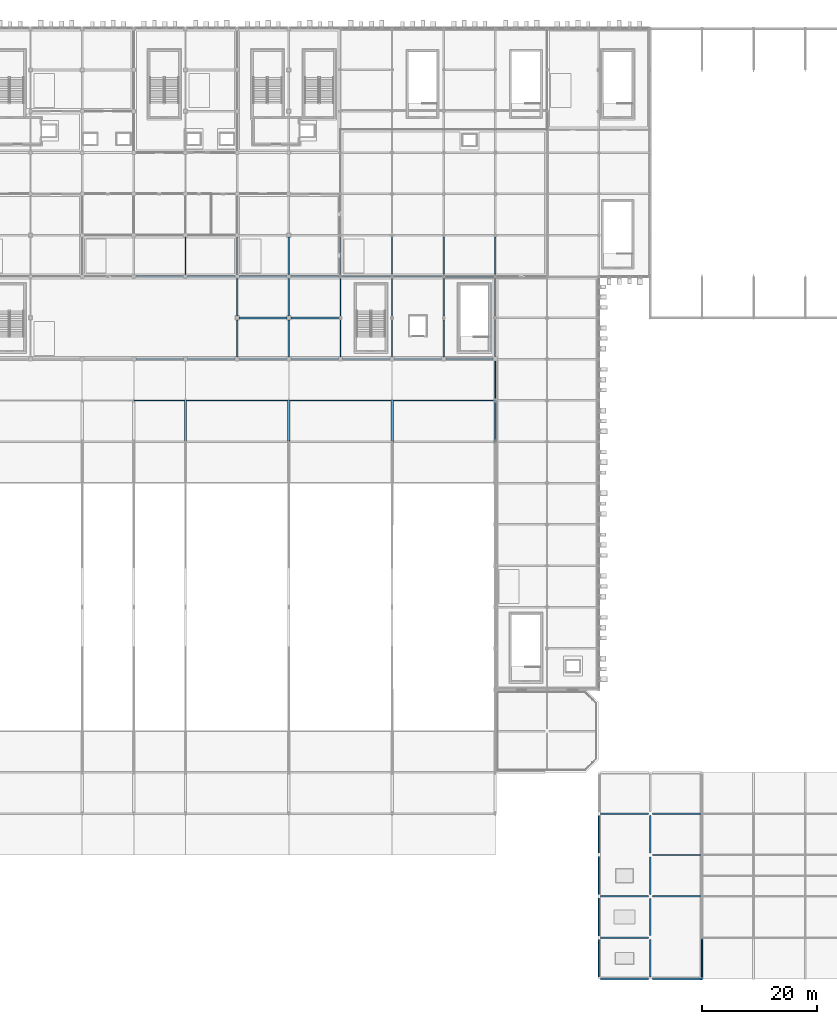
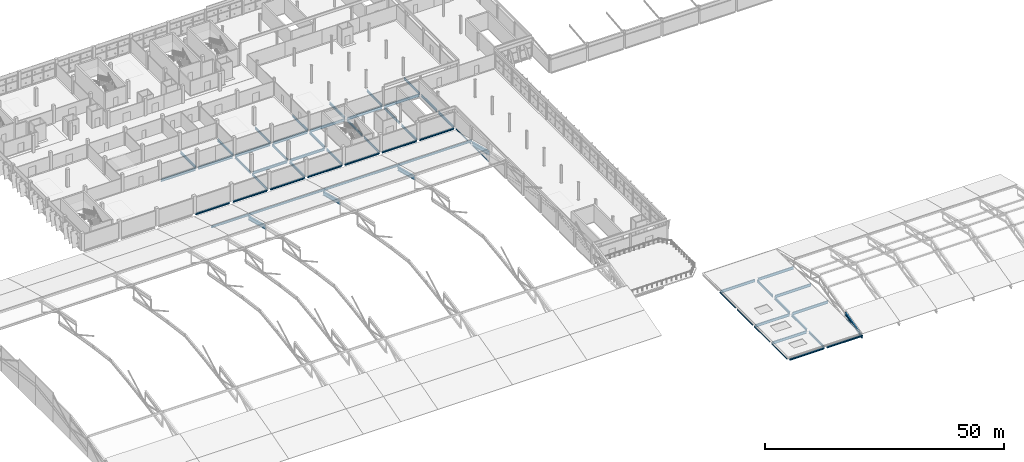
# One storey, part 37 of 124: 54 beams, 9 members.
"""IFC4 building model written with IfcOpenShell, lengths in metres."""

from ifc_helpers import new_model, si_unit, direction, frame, origin, origin_2d, place, context, subcontext, project, spatial, hollow_rectangle, i_section, extrude, material, material_profile, profile_set, type_object, element, save


model = new_model("IFC4")

# Units and contexts
model_context = context("Model", 3, precision=1e-05, world=origin(), true_north=direction((0.0, 1.0)))
body_context = subcontext(model_context, "Body", "Model", "MODEL_VIEW")
ifc_project = project(units=[si_unit("LENGTHUNIT", "METRE"), si_unit("AREAUNIT", "SQUARE_METRE"), si_unit("VOLUMEUNIT", "CUBIC_METRE"), si_unit("PLANEANGLEUNIT", "RADIAN"), si_unit("MASSUNIT", "GRAM", prefix="KILO")], contexts=[model_context])

# Site, building, storey
site_placement = place(None, origin())
site = spatial("IfcSite", under=ifc_project, at=site_placement, CompositionType="ELEMENT")
building_placement = place(site_placement, origin())
building = spatial("IfcBuilding", under=site, at=building_placement, Name="Celestram Park Convention Centre", CompositionType="ELEMENT")
storey_placement = place(building_placement, frame((0.0, 0.0, 15.300048828125)))
storey = spatial("IfcBuildingStorey", under=building, at=storey_placement, Name="L03", CompositionType="ELEMENT", Elevation=15.300048828125)

# Beams
ifc_material_1 = material(Name="Steel ASTM A992 Grade 50", Category="steel")
ifc_material_profile_1 = material_profile(ifc_material_1, i_section(OverallWidth=0.327880859375, OverallDepth=0.6220703125, WebThickness=0.015380859375, FlangeThickness=0.0244140625, at=origin_2d()), Name="W24X131")
ifc_profile_set_1 = profile_set([ifc_material_profile_1], Name="Steel ASTM A992 Grade 50")
beam_type_1 = type_object("IfcBeamType", Name="STR-BM-W24X131", PredefinedType="BEAM", material=ifc_profile_set_1)
for number, where, z_axis, x_axis, name in (
    (1, (63.347900390625, 122.39990234375, -0.56103515625), (1.0, 0.0, 0.0), (0.0, 1.0, 0.0), "Primary X-girder BG-L03-0046"),
    (2, (72.347900390625, 122.39990234375, -0.56103515625), (1.0, 0.0, 0.0), (0.0, 1.0, 0.0), "Primary X-girder BG-L03-0058"),
    (3, (81.347900390625, 115.199951171875, -0.56103515625), (1.0, 0.0, 0.0), (0.0, 1.0, 0.0), "Primary X-girder BG-L03-0073"),
    (4, (81.347900390625, 122.39990234375, -0.56103515625), (1.0, 0.0, 0.0), (0.0, 1.0, 0.0), "Primary X-girder BG-L03-0075"),
    (5, (90.347900390625, 115.199951171875, -0.56103515625), (1.0, 0.0, 0.0), (0.0, 1.0, 0.0), "Primary X-girder BG-L03-0088"),
    (6, (90.347900390625, 122.39990234375, -0.56103515625), (1.0, 0.0, 0.0), (0.0, 1.0, 0.0), "Primary X-girder BG-L03-0090"),
):
    element("IfcBeam", number, at=place(storey_placement, frame(where, z_axis=z_axis, x_axis=x_axis)), inside=storey, type_object=beam_type_1, Name=name, PredefinedType="BEAM", context=body_context, shape_type="SweptSolid", body=[
        extrude(i_section(OverallWidth=0.327880859375, OverallDepth=0.6220703125, WebThickness=0.015380859375, FlangeThickness=0.0244140625, at=origin_2d()), origin(), (0.0, 0.0, 1.0), 8.30419921875),
    ])
ifc_material_profile_2 = material_profile(ifc_material_1, i_section(OverallWidth=0.22900390625, OverallDepth=0.612060546875, WebThickness=0.011962890625, FlangeThickness=0.01953125, at=origin_2d()), Name="W24X84")
ifc_profile_set_2 = profile_set([ifc_material_profile_2], Name="Steel ASTM A992 Grade 50")
beam_type_2 = type_object("IfcBeamType", Name="STR-BM-W24X84", PredefinedType="BEAM", material=ifc_profile_set_2)
beam_1_placement = place(storey_placement, frame((72.0, 122.748046875, -0.55615234375), z_axis=(0.0, 1.0, 0.0), x_axis=(-1.0, 0.0, 0.0)))
element("IfcBeam", 7, at=beam_1_placement, inside=storey, type_object=beam_type_2, Name="Primary Y-girder BG-L03-0059", PredefinedType="BEAM", context=body_context, shape_type="SweptSolid", body=[
    extrude(i_section(OverallWidth=0.22900390625, OverallDepth=0.612060546875, WebThickness=0.011962890625, FlangeThickness=0.01953125, at=origin_2d()), origin(), (0.0, 0.0, 1.0), 6.50390625),
])
beam_2_placement = place(storey_placement, frame((81.0, 108.373046875, -0.55615234375), z_axis=(0.0, 1.0, 0.0), x_axis=(-1.0, 0.0, 0.0)))
element("IfcBeam", 8, at=beam_2_placement, inside=storey, type_object=beam_type_2, Name="Primary Y-girder BG-L03-0072", PredefinedType="BEAM", context=body_context, shape_type="SweptSolid", body=[
    extrude(i_section(OverallWidth=0.22900390625, OverallDepth=0.612060546875, WebThickness=0.011962890625, FlangeThickness=0.01953125, at=origin_2d()), origin(), (0.0, 0.0, 1.0), 6.47900390625),
])
for number, where, z_axis, x_axis, name in (
    (9, (81.0, 115.548095703125, -0.55615234375), (0.0, 1.0, 0.0), (-1.0, 0.0, 0.0), "Primary Y-girder BG-L03-0074"),
    (10, (81.0, 122.748046875, -0.55615234375), (0.0, 1.0, 0.0), (-1.0, 0.0, 0.0), "Primary Y-girder BG-L03-0076"),
):
    element("IfcBeam", number, at=place(storey_placement, frame(where, z_axis=z_axis, x_axis=x_axis)), inside=storey, type_object=beam_type_2, Name=name, PredefinedType="BEAM", context=body_context, shape_type="SweptSolid", body=[
        extrude(i_section(OverallWidth=0.22900390625, OverallDepth=0.612060546875, WebThickness=0.011962890625, FlangeThickness=0.01953125, at=origin_2d()), origin(), (0.0, 0.0, 1.0), 6.50390625),
    ])
beam_3_placement = place(storey_placement, frame((90.0, 108.373046875, -0.55615234375), z_axis=(0.0, 1.0, 0.0), x_axis=(-1.0, 0.0, 0.0)))
element("IfcBeam", 11, at=beam_3_placement, inside=storey, type_object=beam_type_2, Name="Primary Y-girder BG-L03-0087", PredefinedType="BEAM", context=body_context, shape_type="SweptSolid", body=[
    extrude(i_section(OverallWidth=0.22900390625, OverallDepth=0.612060546875, WebThickness=0.011962890625, FlangeThickness=0.01953125, at=origin_2d()), origin(), (0.0, 0.0, 1.0), 6.47900390625),
])
for number, where, z_axis, x_axis, name in (
    (12, (90.0, 115.548095703125, -0.55615234375), (0.0, 1.0, 0.0), (-1.0, 0.0, 0.0), "Primary Y-girder BG-L03-0089"),
    (13, (90.0, 122.748046875, -0.55615234375), (0.0, 1.0, 0.0), (-1.0, 0.0, 0.0), "Primary Y-girder BG-L03-0091"),
):
    element("IfcBeam", number, at=place(storey_placement, frame(where, z_axis=z_axis, x_axis=x_axis)), inside=storey, type_object=beam_type_2, Name=name, PredefinedType="BEAM", context=body_context, shape_type="SweptSolid", body=[
        extrude(i_section(OverallWidth=0.22900390625, OverallDepth=0.612060546875, WebThickness=0.011962890625, FlangeThickness=0.01953125, at=origin_2d()), origin(), (0.0, 0.0, 1.0), 6.50390625),
    ])
beam_4_placement = place(storey_placement, frame((99.0, 108.373046875, -0.55615234375), z_axis=(0.0, 1.0, 0.0), x_axis=(-1.0, 0.0, 0.0)))
element("IfcBeam", 14, at=beam_4_placement, inside=storey, type_object=beam_type_2, Name="Primary Y-girder BG-L03-0102", PredefinedType="BEAM", context=body_context, shape_type="SweptSolid", body=[
    extrude(i_section(OverallWidth=0.22900390625, OverallDepth=0.612060546875, WebThickness=0.011962890625, FlangeThickness=0.01953125, at=origin_2d()), origin(), (0.0, 0.0, 1.0), 6.47900390625),
])
for number, where, z_axis, x_axis, name in (
    (15, (99.0, 115.548095703125, -0.55615234375), (0.0, 1.0, 0.0), (-1.0, 0.0, 0.0), "Primary Y-girder BG-L03-0103"),
    (16, (99.0, 122.748046875, -0.55615234375), (0.0, 1.0, 0.0), (-1.0, 0.0, 0.0), "Primary Y-girder BG-L03-0105"),
):
    element("IfcBeam", number, at=place(storey_placement, frame(where, z_axis=z_axis, x_axis=x_axis)), inside=storey, type_object=beam_type_2, Name=name, PredefinedType="BEAM", context=body_context, shape_type="SweptSolid", body=[
        extrude(i_section(OverallWidth=0.22900390625, OverallDepth=0.612060546875, WebThickness=0.011962890625, FlangeThickness=0.01953125, at=origin_2d()), origin(), (0.0, 0.0, 1.0), 6.50390625),
    ])
beam_5_placement = place(storey_placement, frame((108.0, 108.373046875, -0.55615234375), z_axis=(0.0, 1.0, 0.0), x_axis=(-1.0, 0.0, 0.0)))
element("IfcBeam", 17, at=beam_5_placement, inside=storey, type_object=beam_type_2, Name="Primary Y-girder BG-L03-0118", PredefinedType="BEAM", context=body_context, shape_type="SweptSolid", body=[
    extrude(i_section(OverallWidth=0.22900390625, OverallDepth=0.612060546875, WebThickness=0.011962890625, FlangeThickness=0.01953125, at=origin_2d()), origin(), (0.0, 0.0, 1.0), 6.47900390625),
])
for number, where, z_axis, x_axis, name in (
    (18, (108.0, 115.548095703125, -0.55615234375), (0.0, 1.0, 0.0), (-1.0, 0.0, 0.0), "Primary Y-girder BG-L03-0119"),
    (19, (108.0, 122.748046875, -0.55615234375), (0.0, 1.0, 0.0), (-1.0, 0.0, 0.0), "Primary Y-girder BG-L03-0121"),
):
    element("IfcBeam", number, at=place(storey_placement, frame(where, z_axis=z_axis, x_axis=x_axis)), inside=storey, type_object=beam_type_2, Name=name, PredefinedType="BEAM", context=body_context, shape_type="SweptSolid", body=[
        extrude(i_section(OverallWidth=0.22900390625, OverallDepth=0.612060546875, WebThickness=0.011962890625, FlangeThickness=0.01953125, at=origin_2d()), origin(), (0.0, 0.0, 1.0), 6.50390625),
    ])
beam_6_placement = place(storey_placement, frame((117.0, 108.373046875, -0.55615234375), z_axis=(0.0, 1.0, 0.0), x_axis=(-1.0, 0.0, 0.0)))
element("IfcBeam", 20, at=beam_6_placement, inside=storey, type_object=beam_type_2, Name="Primary Y-girder BG-L03-0132", PredefinedType="BEAM", context=body_context, shape_type="SweptSolid", body=[
    extrude(i_section(OverallWidth=0.22900390625, OverallDepth=0.612060546875, WebThickness=0.011962890625, FlangeThickness=0.01953125, at=origin_2d()), origin(), (0.0, 0.0, 1.0), 6.47900390625),
])
for number, where, z_axis, x_axis, name in (
    (21, (117.0, 115.548095703125, -0.55615234375), (0.0, 1.0, 0.0), (-1.0, 0.0, 0.0), "Primary Y-girder BG-L03-0133"),
    (22, (117.0, 122.748046875, -0.55615234375), (0.0, 1.0, 0.0), (-1.0, 0.0, 0.0), "Primary Y-girder BG-L03-0135"),
):
    element("IfcBeam", number, at=place(storey_placement, frame(where, z_axis=z_axis, x_axis=x_axis)), inside=storey, type_object=beam_type_2, Name=name, PredefinedType="BEAM", context=body_context, shape_type="SweptSolid", body=[
        extrude(i_section(OverallWidth=0.22900390625, OverallDepth=0.612060546875, WebThickness=0.011962890625, FlangeThickness=0.01953125, at=origin_2d()), origin(), (0.0, 0.0, 1.0), 6.50390625),
    ])
beam_7_placement = place(storey_placement, frame((126.0, 108.373046875, -0.55615234375), z_axis=(0.0, 1.0, 0.0), x_axis=(-1.0, 0.0, 0.0)))
element("IfcBeam", 23, at=beam_7_placement, inside=storey, type_object=beam_type_2, Name="Primary Y-girder BG-L03-0167", PredefinedType="BEAM", context=body_context, shape_type="SweptSolid", body=[
    extrude(i_section(OverallWidth=0.22900390625, OverallDepth=0.612060546875, WebThickness=0.011962890625, FlangeThickness=0.01953125, at=origin_2d()), origin(), (0.0, 0.0, 1.0), 6.47900390625),
])
for number, where, z_axis, x_axis, name in (
    (24, (126.0, 115.548095703125, -0.55615234375), (0.0, 1.0, 0.0), (-1.0, 0.0, 0.0), "Primary Y-girder BG-L03-0169"),
    (25, (126.0, 122.748046875, -0.55615234375), (0.0, 1.0, 0.0), (-1.0, 0.0, 0.0), "Primary Y-girder BG-L03-0171"),
):
    element("IfcBeam", number, at=place(storey_placement, frame(where, z_axis=z_axis, x_axis=x_axis)), inside=storey, type_object=beam_type_2, Name=name, PredefinedType="BEAM", context=body_context, shape_type="SweptSolid", body=[
        extrude(i_section(OverallWidth=0.22900390625, OverallDepth=0.612060546875, WebThickness=0.011962890625, FlangeThickness=0.01953125, at=origin_2d()), origin(), (0.0, 0.0, 1.0), 6.50390625),
    ])
beam_8_placement = place(storey_placement, frame((153.0, 0.347900390625, -0.546142578125), z_axis=(0.0, 1.0, 0.0), x_axis=(-1.0, 0.0, 0.0)))
element("IfcBeam", 26, at=beam_8_placement, inside=storey, type_object=beam_type_2, Name="Primary Y-girder BG-L03-0246", PredefinedType="BEAM", context=body_context, shape_type="SweptSolid", body=[
    extrude(i_section(OverallWidth=0.22900390625, OverallDepth=0.612060546875, WebThickness=0.011962890625, FlangeThickness=0.01953125, at=origin_2d()), origin(), (0.0, 0.0, 1.0), 6.504150390625),
])
for number, where, z_axis, x_axis, name in (
    (27, (153.0, 7.548095703125, -0.546142578125), (0.0, 1.0, 0.0), (-1.0, 0.0, 0.0), "Primary Y-girder BG-L03-0247"),
    (28, (153.0, 14.748046875, -0.546142578125), (0.0, 1.0, 0.0), (-1.0, 0.0, 0.0), "Primary Y-girder BG-L03-0249"),
    (29, (153.0, 21.947998046875, -0.546142578125), (0.0, 1.0, 0.0), (-1.0, 0.0, 0.0), "Primary Y-girder BG-L03-0251"),
):
    element("IfcBeam", number, at=place(storey_placement, frame(where, z_axis=z_axis, x_axis=x_axis)), inside=storey, type_object=beam_type_2, Name=name, PredefinedType="BEAM", context=body_context, shape_type="SweptSolid", body=[
        extrude(i_section(OverallWidth=0.22900390625, OverallDepth=0.612060546875, WebThickness=0.011962890625, FlangeThickness=0.01953125, at=origin_2d()), origin(), (0.0, 0.0, 1.0), 6.50390625),
    ])
ifc_material_profile_3 = material_profile(ifc_material_1, i_section(OverallWidth=0.25390625, OverallDepth=0.68310546875, WebThickness=0.012451171875, FlangeThickness=0.01904296875, at=origin_2d()), Name="W27X94")
ifc_profile_set_3 = profile_set([ifc_material_profile_3], Name="Steel ASTM A992 Grade 50")
beam_type_3 = type_object("IfcBeamType", Name="STR-BM-W27X94", PredefinedType="BEAM", material=ifc_profile_set_3)
for number, where, z_axis, x_axis, name in (
    (30, (99.347900390625, 122.39990234375, -0.591552734375), (1.0, 0.0, 0.0), (0.0, 1.0, 0.0), "Primary X-girder BG-L03-0104"),
    (31, (108.347900390625, 122.39990234375, -0.591552734375), (1.0, 0.0, 0.0), (0.0, 1.0, 0.0), "Primary X-girder BG-L03-0120"),
    (32, (117.347900390625, 122.39990234375, -0.591552734375), (1.0, 0.0, 0.0), (0.0, 1.0, 0.0), "Primary X-girder BG-L03-0134"),
    (33, (144.347900390625, 7.199951171875, -0.58154296875), (1.0, 0.0, 0.0), (0.0, 1.0, 0.0), "Primary X-girder BG-L03-0217"),
    (34, (144.347900390625, 14.39990234375, -0.58154296875), (1.0, 0.0, 0.0), (0.0, 1.0, 0.0), "Primary X-girder BG-L03-0219"),
    (35, (144.347900390625, 28.800048828125, -0.58154296875), (1.0, 0.0, 0.0), (0.0, 1.0, 0.0), "Primary X-girder BG-L03-0222"),
):
    element("IfcBeam", number, at=place(storey_placement, frame(where, z_axis=z_axis, x_axis=x_axis)), inside=storey, type_object=beam_type_3, Name=name, PredefinedType="BEAM", context=body_context, shape_type="SweptSolid", body=[
        extrude(i_section(OverallWidth=0.25390625, OverallDepth=0.68310546875, WebThickness=0.012451171875, FlangeThickness=0.01904296875, at=origin_2d()), origin(), (0.0, 0.0, 1.0), 8.30419921875),
    ])
for number, where, z_axis, x_axis, name in (
    (36, (153.347900390625, 14.39990234375, -0.58154296875), (1.0, 0.0, 0.0), (0.0, 1.0, 0.0), "Primary X-girder BG-L03-0248"),
    (37, (153.347900390625, 21.60009765625, -0.58154296875), (1.0, 0.0, 0.0), (0.0, 1.0, 0.0), "Primary X-girder BG-L03-0250"),
    (38, (153.347900390625, 28.800048828125, -0.58154296875), (1.0, 0.0, 0.0), (0.0, 1.0, 0.0), "Primary X-girder BG-L03-0252"),
):
    element("IfcBeam", number, at=place(storey_placement, frame(where, z_axis=z_axis, x_axis=x_axis)), inside=storey, type_object=beam_type_3, Name=name, PredefinedType="BEAM", context=body_context, shape_type="SweptSolid", body=[
        extrude(i_section(OverallWidth=0.25390625, OverallDepth=0.68310546875, WebThickness=0.012451171875, FlangeThickness=0.01904296875, at=origin_2d()), origin(), (0.0, 0.0, 1.0), 8.64501953125),
    ])

# Members
ifc_material_profile_4 = material_profile(ifc_material_1, i_section(OverallWidth=0.327880859375, OverallDepth=0.6220703125, WebThickness=0.015380859375, FlangeThickness=0.0244140625, at=origin_2d()), Name="W24X131")
ifc_profile_set_4 = profile_set([ifc_material_profile_4], Name="Steel ASTM A992 Grade 50")
member_type_1 = type_object("IfcMemberType", Name="STR-CHD-W24X131", PredefinedType="CHORD", material=ifc_profile_set_4)
member_1_placement = place(storey_placement, frame((162.0, 0.0, -0.89208984375), z_axis=(0.0, 0.970140565046, 0.242543365301), x_axis=(-1.0, 0.0, 0.0)))
element("IfcMember", 39, at=member_1_placement, inside=storey, type_object=member_type_1, Name="V3 arch top chord", PredefinedType="CHORD", context=body_context, shape_type="SweptSolid", body=[
    extrude(i_section(OverallWidth=0.327880859375, OverallDepth=0.6220703125, WebThickness=0.015380859375, FlangeThickness=0.0244140625, at=origin_2d()), origin(), (0.0, 0.0, 1.0), 7.421630859375),
])
ifc_material_profile_5 = material_profile(ifc_material_1, i_section(OverallWidth=0.4189453125, OverallDepth=0.927001953125, WebThickness=0.019287109375, FlangeThickness=0.031982421875, at=origin_2d()), Name="W36X231")
ifc_profile_set_5 = profile_set([ifc_material_profile_5], Name="Steel ASTM A992 Grade 50")
member_type_2 = type_object("IfcMemberType", Name="STR-CHD-W36X231", PredefinedType="CHORD", material=ifc_profile_set_5)
for number, where, z_axis, x_axis, name in (
    (40, (72.0, 93.60009765625, 1.9150390625), (0.0, 0.967619711376, -0.252412547544), (-1.0, 0.0, 0.0), "V1 arch top chord"),
    (41, (90.0, 93.60009765625, 1.9150390625), (0.0, 0.967619711376, -0.252412547544), (-1.0, 0.0, 0.0), "V1 arch top chord"),
    (42, (108.0, 93.60009765625, 1.9150390625), (0.0, 0.967619711376, -0.252412547544), (-1.0, 0.0, 0.0), "V1 arch top chord"),
    (43, (126.0, 93.60009765625, 1.9150390625), (0.0, 0.967619711376, -0.252412547544), (-1.0, 0.0, 0.0), "V1 arch top chord"),
):
    element("IfcMember", number, at=place(storey_placement, frame(where, z_axis=z_axis, x_axis=x_axis)), inside=storey, type_object=member_type_2, Name=name, PredefinedType="CHORD", context=body_context, shape_type="SweptSolid", body=[
        extrude(i_section(OverallWidth=0.4189453125, OverallDepth=0.927001953125, WebThickness=0.019287109375, FlangeThickness=0.031982421875, at=origin_2d()), origin(), (0.0, 0.0, 1.0), 7.44091796875),
    ])
ifc_material_profile_6 = material_profile(ifc_material_1, i_section(OverallWidth=0.2099609375, OverallDepth=0.532958984375, WebThickness=0.01025390625, FlangeThickness=0.015625, at=origin_2d()), Name="W21X62")
ifc_profile_set_6 = profile_set([ifc_material_profile_6], Name="Steel ASTM A992 Grade 50")
member_type_3 = type_object("IfcMemberType", Name="STR-RFT-W21X62", PredefinedType="RAFTER", material=ifc_profile_set_6)
member_2_placement = place(storey_placement, frame((63.0, 100.800048828125, 0.766845703125), z_axis=(1.0, 0.0, 0.0), x_axis=(0.0, 1.0, 0.0)))
element("IfcMember", 44, at=member_2_placement, inside=storey, type_object=member_type_3, Name="V1 roof purlin", PredefinedType="RAFTER", context=body_context, shape_type="SweptSolid", body=[
    extrude(i_section(OverallWidth=0.2099609375, OverallDepth=0.532958984375, WebThickness=0.01025390625, FlangeThickness=0.015625, at=origin_2d()), origin(), (0.0, 0.0, 1.0), 9.0),
])
for number, where, z_axis, x_axis, name in (
    (45, (72.0, 100.800048828125, 0.766845703125), (1.0, 0.0, 0.0), (0.0, 1.0, 0.0), "V1 roof purlin"),
    (46, (90.0, 100.800048828125, 0.766845703125), (1.0, 0.0, 0.0), (0.0, 1.0, 0.0), "V1 roof purlin"),
):
    element("IfcMember", number, at=place(storey_placement, frame(where, z_axis=z_axis, x_axis=x_axis)), inside=storey, type_object=member_type_3, Name=name, PredefinedType="RAFTER", context=body_context, shape_type="SweptSolid", body=[
        extrude(i_section(OverallWidth=0.2099609375, OverallDepth=0.532958984375, WebThickness=0.01025390625, FlangeThickness=0.015625, at=origin_2d()), origin(), (0.0, 0.0, 1.0), 18.0),
    ])
member_3_placement = place(storey_placement, frame((108.0, 100.800048828125, 0.766845703125), z_axis=(1.0, 0.0, 0.0), x_axis=(0.0, 1.0, 0.0)))
element("IfcMember", 47, at=member_3_placement, inside=storey, type_object=member_type_3, Name="V1 roof purlin", PredefinedType="RAFTER", context=body_context, shape_type="SweptSolid", body=[
    extrude(i_section(OverallWidth=0.2099609375, OverallDepth=0.532958984375, WebThickness=0.01025390625, FlangeThickness=0.015625, at=origin_2d()), origin(), (0.0, 0.0, 1.0), 17.919921875),
])

# Beams
ifc_material_2 = material(Name="Steel ASTM A500 Grade C", Category="steel")
ifc_material_profile_7 = material_profile(ifc_material_2, hollow_rectangle(XDim=0.14990234375, YDim=0.25, WallThickness=0.010009765625, at=origin_2d()), Name="HSS250X150X10")
ifc_profile_set_7 = profile_set([ifc_material_profile_7], Name="Steel ASTM A500 Grade C")
beam_type_4 = type_object("IfcBeamType", Name="STR-SPN-HSS250X150", PredefinedType="SPANDREL", material=ifc_profile_set_7)
beam_9_placement = place(storey_placement, frame((126.0, 93.972900390625, -0.375), z_axis=(0.0, 1.0, 0.0), x_axis=(-1.0, 0.0, 0.0)))
element("IfcBeam", 48, at=beam_9_placement, inside=storey, type_object=beam_type_4, Name="Primary Y-girder BG-L03-0163", PredefinedType="SPANDREL", context=body_context, shape_type="SweptSolid", body=[
    extrude(hollow_rectangle(XDim=0.14990234375, YDim=0.25, WallThickness=0.010009765625, at=origin_2d()), origin(), (0.0, 0.0, 1.0), 6.4541015625),
])
beam_10_placement = place(storey_placement, frame((126.0, 101.173095703125, -0.375), z_axis=(0.0, 1.0, 0.0), x_axis=(-1.0, 0.0, 0.0)))
element("IfcBeam", 49, at=beam_10_placement, inside=storey, type_object=beam_type_4, Name="Primary Y-girder BG-L03-0165", PredefinedType="SPANDREL", context=body_context, shape_type="SweptSolid", body=[
    extrude(hollow_rectangle(XDim=0.14990234375, YDim=0.25, WallThickness=0.010009765625, at=origin_2d()), origin(), (0.0, 0.0, 1.0), 6.453857421875),
])
beam_11_placement = place(storey_placement, frame((144.0, 0.347900390625, -0.364990234375), z_axis=(0.0, 1.0, 0.0), x_axis=(-1.0, 0.0, 0.0)))
element("IfcBeam", 50, at=beam_11_placement, inside=storey, type_object=beam_type_4, Name="Primary Y-girder BG-L03-0216", PredefinedType="SPANDREL", context=body_context, shape_type="SweptSolid", body=[
    extrude(hollow_rectangle(XDim=0.14990234375, YDim=0.25, WallThickness=0.010009765625, at=origin_2d()), origin(), (0.0, 0.0, 1.0), 6.504150390625),
])
for number, where, z_axis, x_axis, name in (
    (51, (144.0, 7.548095703125, -0.364990234375), (0.0, 1.0, 0.0), (-1.0, 0.0, 0.0), "Primary Y-girder BG-L03-0218"),
    (52, (144.0, 14.748046875, -0.364990234375), (0.0, 1.0, 0.0), (-1.0, 0.0, 0.0), "Primary Y-girder BG-L03-0220"),
    (53, (144.0, 21.947998046875, -0.364990234375), (0.0, 1.0, 0.0), (-1.0, 0.0, 0.0), "Primary Y-girder BG-L03-0221"),
):
    element("IfcBeam", number, at=place(storey_placement, frame(where, z_axis=z_axis, x_axis=x_axis)), inside=storey, type_object=beam_type_4, Name=name, PredefinedType="SPANDREL", context=body_context, shape_type="SweptSolid", body=[
        extrude(hollow_rectangle(XDim=0.14990234375, YDim=0.25, WallThickness=0.010009765625, at=origin_2d()), origin(), (0.0, 0.0, 1.0), 6.50390625),
    ])
beam_12_placement = place(storey_placement, frame((162.0, 0.426025390625, -0.364990234375), z_axis=(0.0, 1.0, 0.0), x_axis=(-1.0, 0.0, 0.0)))
element("IfcBeam", 54, at=beam_12_placement, inside=storey, type_object=beam_type_4, Name="Primary Y-girder BG-L03-0261", PredefinedType="SPANDREL", context=body_context, shape_type="SweptSolid", body=[
    extrude(hollow_rectangle(XDim=0.14990234375, YDim=0.25, WallThickness=0.010009765625, at=origin_2d()), origin(), (0.0, 0.0, 1.0), 6.347900390625),
])
ifc_material_profile_8 = material_profile(ifc_material_1, i_section(OverallWidth=0.367919921875, OverallDepth=0.35595703125, WebThickness=0.01123046875, FlangeThickness=0.01806640625, at=origin_2d()), Name="W14X90")
ifc_profile_set_8 = profile_set([ifc_material_profile_8], Name="Steel ASTM A992 Grade 50")
beam_type_5 = type_object("IfcBeamType", Name="STR-SPN-W14X90", PredefinedType="SPANDREL", material=ifc_profile_set_8)
for number, where, z_axis, x_axis, name in (
    (55, (63.373046875, 108.0, -0.427978515625), (1.0, 0.0, 0.0), (0.0, 1.0, 0.0), "Primary X-girder BG-L03-0045"),
    (56, (72.373046875, 108.0, -0.427978515625), (1.0, 0.0, 0.0), (0.0, 1.0, 0.0), "Primary X-girder BG-L03-0057"),
    (57, (81.373046875, 108.0, -0.427978515625), (1.0, 0.0, 0.0), (0.0, 1.0, 0.0), "Primary X-girder BG-L03-0071"),
    (58, (90.373046875, 108.0, -0.427978515625), (1.0, 0.0, 0.0), (0.0, 1.0, 0.0), "Primary X-girder BG-L03-0086"),
    (59, (99.373046875, 108.0, -0.427978515625), (1.0, 0.0, 0.0), (0.0, 1.0, 0.0), "Primary X-girder BG-L03-0101"),
    (60, (108.373046875, 108.0, -0.427978515625), (1.0, 0.0, 0.0), (0.0, 1.0, 0.0), "Primary X-girder BG-L03-0117"),
    (61, (117.373046875, 108.0, -0.427978515625), (1.0, 0.0, 0.0), (0.0, 1.0, 0.0), "Primary X-girder BG-L03-0131"),
):
    element("IfcBeam", number, at=place(storey_placement, frame(where, z_axis=z_axis, x_axis=x_axis)), inside=storey, type_object=beam_type_5, Name=name, PredefinedType="SPANDREL", context=body_context, shape_type="SweptSolid", body=[
        extrude(i_section(OverallWidth=0.367919921875, OverallDepth=0.35595703125, WebThickness=0.01123046875, FlangeThickness=0.01806640625, at=origin_2d()), origin(), (0.0, 0.0, 1.0), 8.25390625),
    ])
beam_13_placement = place(storey_placement, frame((144.347900390625, 0.0, -0.41796875), z_axis=(1.0, 0.0, 0.0), x_axis=(0.0, 1.0, 0.0)))
element("IfcBeam", 62, at=beam_13_placement, inside=storey, type_object=beam_type_5, Name="Primary X-girder BG-L03-0215", PredefinedType="SPANDREL", context=body_context, shape_type="SweptSolid", body=[
    extrude(i_section(OverallWidth=0.367919921875, OverallDepth=0.35595703125, WebThickness=0.01123046875, FlangeThickness=0.01806640625, at=origin_2d()), origin(), (0.0, 0.0, 1.0), 8.30419921875),
])
beam_14_placement = place(storey_placement, frame((153.347900390625, 0.0, -0.41796875), z_axis=(1.0, 0.0, 0.0), x_axis=(0.0, 1.0, 0.0)))
element("IfcBeam", 63, at=beam_14_placement, inside=storey, type_object=beam_type_5, Name="Primary X-girder BG-L03-0245", PredefinedType="SPANDREL", context=body_context, shape_type="SweptSolid", body=[
    extrude(i_section(OverallWidth=0.367919921875, OverallDepth=0.35595703125, WebThickness=0.01123046875, FlangeThickness=0.01806640625, at=origin_2d()), origin(), (0.0, 0.0, 1.0), 8.64501953125),
])

save(model, "model.ifc")
